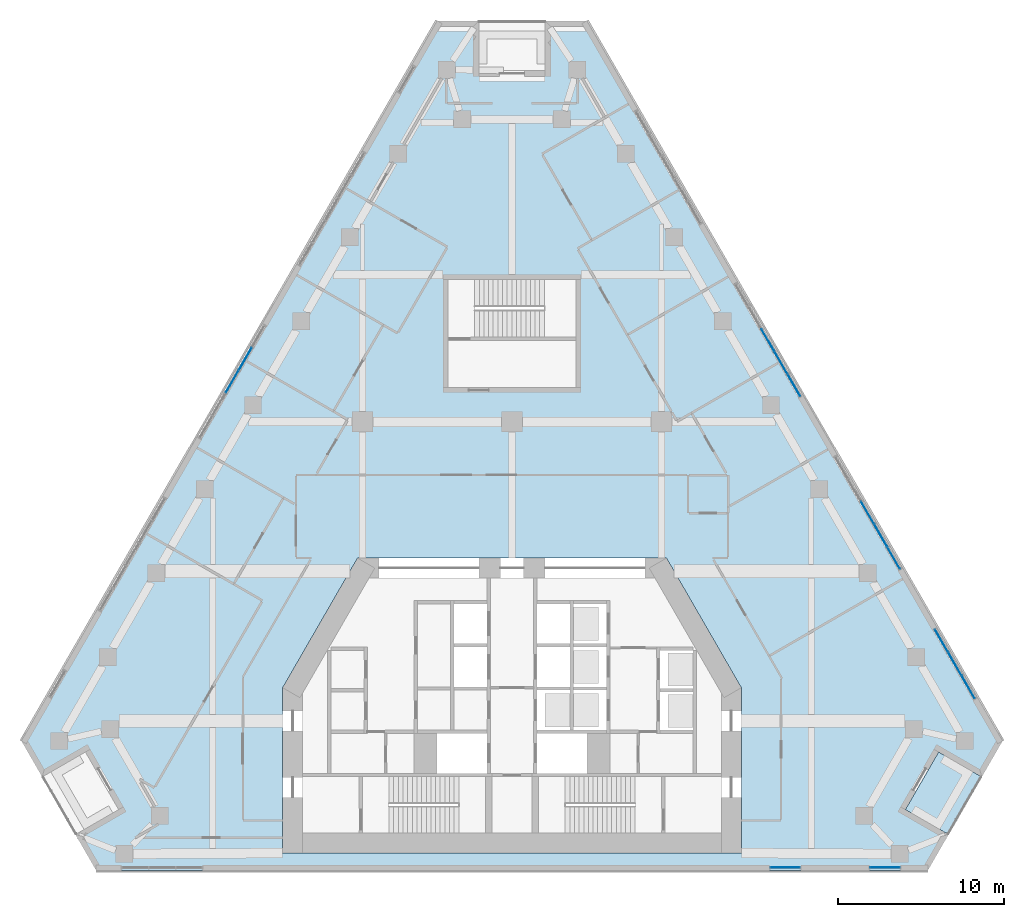
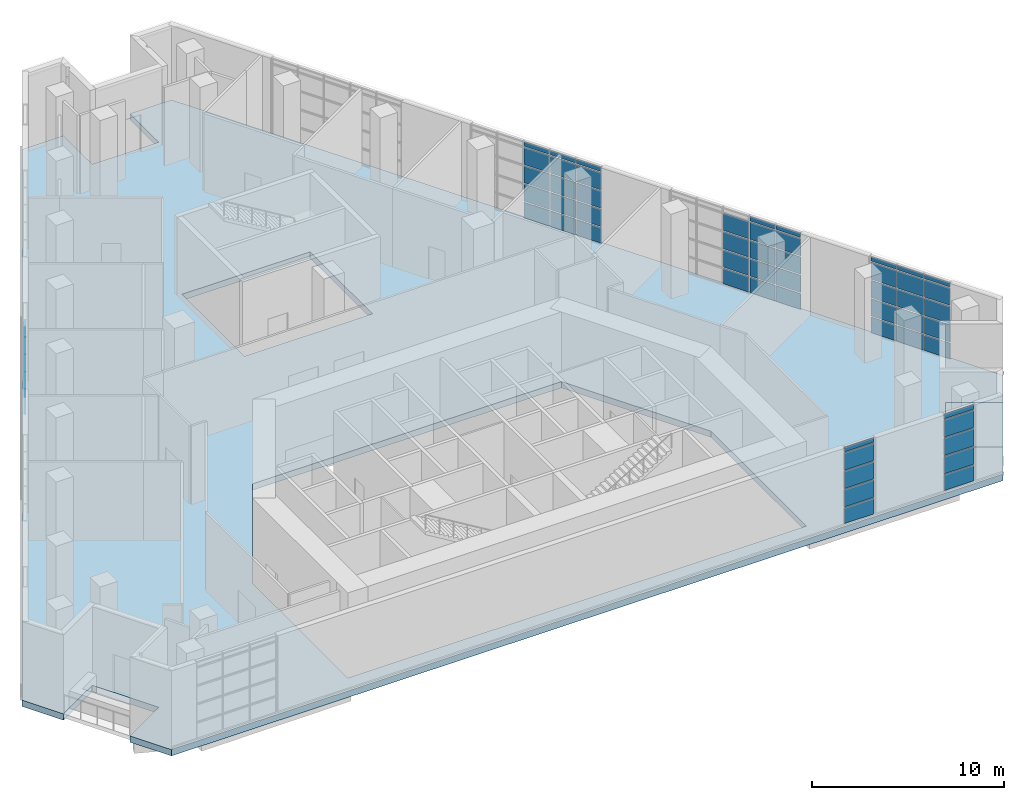
# One storey, part 9 of 18: 62 plates, 2 slabs, 6 elements without a shape of their own.
"""IFC4 building model written with IfcOpenShell, lengths in metres."""

import ifcopenshell
import ifcopenshell.guid

model = None  # the IFC model being written
_history = None  # IfcOwnerHistory: only IFC2X3 demands one
_inside = {}  # id of a spatial element -> (the spatial element, [elements in it])
_under = {}  # id of a project, library or spatial element -> (it, [spatial elements below it])
_declared = {}  # id of a project -> (the project, [libraries it declares])
_typed = {}  # id of a type object -> (the type object, [elements of that type])
_made_of = {}  # id of a material, layer set ... -> (it, [elements and type objects made of it])


def new_model(schema):
    """Start an empty IFC model of exactly this schema.

    Asked for "IFC4X3", IfcOpenShell would pick the latest addendum, in which some entities
    have other attributes; the version numbers below select the first issue.
    IFC2X3 requires an IfcOwnerHistory on every rooted entity: one is made here for all.
    """
    global model, _history
    if schema == "IFC4X3":
        model = ifcopenshell.file(schema_version=(4, 3, 0, 0))
    else:
        model = ifcopenshell.file(schema=schema)
    _inside.clear()
    _under.clear()
    _declared.clear()
    _typed.clear()
    _made_of.clear()
    _history = None
    if model.schema == "IFC2X3":
        org = make("IfcOrganization", Name="unknown")
        user = make(
            "IfcPersonAndOrganization",
            ThePerson=make("IfcPerson", FamilyName="unknown"),
            TheOrganization=org,
        )
        app = make(
            "IfcApplication",
            ApplicationDeveloper=org,
            Version="unknown",
            ApplicationFullName="unknown",
            ApplicationIdentifier="unknown",
        )
        _history = make(
            "IfcOwnerHistory",
            OwningUser=user,
            OwningApplication=app,
            ChangeAction="ADDED",
            CreationDate=0,
        )
    return model


def make(cls, **values):
    """One entity of the class cls with the attributes given. An attribute that is None is left unset."""
    return model.create_entity(
        cls, **{name: value for name, value in values.items() if value is not None}
    )


def rooted(cls, **values):
    """An entity with a GlobalId (a new one), such as an element, a storey or a relation."""
    return make(cls, GlobalId=ifcopenshell.guid.new(), OwnerHistory=_history, **values)


def si_unit(unit_type, name, prefix=None):
    """IfcSIUnit, for example si_unit("LENGTHUNIT", "METRE", prefix="MILLI")."""
    return make("IfcSIUnit", UnitType=unit_type, Prefix=prefix, Name=name)


def assignment(units):
    """IfcUnitAssignment: the units of a project."""
    return None if units is None else make("IfcUnitAssignment", Units=units)


def point(xyz):
    """IfcCartesianPoint."""
    return None if xyz is None else make("IfcCartesianPoint", Coordinates=xyz)


def direction(xyz):
    """IfcDirection."""
    return None if xyz is None else make("IfcDirection", DirectionRatios=xyz)


def frame(location, z_axis=None, x_axis=None):
    """IfcAxis2Placement3D, a coordinate frame: its origin and axes. An axis left out is left unset."""
    return make(
        "IfcAxis2Placement3D",
        Location=point(location),
        Axis=direction(z_axis),
        RefDirection=direction(x_axis),
    )


def frame_2d(location, x_axis=None):
    """IfcAxis2Placement2D, a coordinate frame in the plane: its origin and x axis."""
    return make(
        "IfcAxis2Placement2D", Location=point(location), RefDirection=direction(x_axis)
    )


def origin():
    """The frame at (0, 0, 0) with its axes left unset."""
    return frame((0.0, 0.0, 0.0))


def origin_2d():
    """The frame at (0, 0) in the plane with its x axis left unset."""
    return frame_2d((0.0, 0.0))


def place(relative_to, where):
    """IfcLocalPlacement: puts the frame where relative to a parent placement (None: the world)."""
    return make(
        "IfcLocalPlacement", PlacementRelTo=relative_to, RelativePlacement=where
    )


def context(
    kind, dimensions, precision=None, world=None, true_north=None, identifier=None
):
    """IfcGeometricRepresentationContext, for example the 3D "Model" context."""
    return make(
        "IfcGeometricRepresentationContext",
        ContextIdentifier=identifier,
        ContextType=kind,
        CoordinateSpaceDimension=dimensions,
        Precision=precision,
        WorldCoordinateSystem=world,
        TrueNorth=true_north,
    )


def subcontext(parent, identifier, kind, view, scale=None):
    """IfcGeometricRepresentationSubContext, for example "Body" below "Model"."""
    return make(
        "IfcGeometricRepresentationSubContext",
        ContextIdentifier=identifier,
        ContextType=kind,
        ParentContext=parent,
        TargetScale=scale,
        TargetView=view,
    )


def project(units=None, contexts=None):
    """IfcProject with its units and contexts."""
    return rooted(
        "IfcProject",
        Name="project",
        RepresentationContexts=contexts,
        UnitsInContext=assignment(units),
    )


def spatial(cls, under=None, at=None, **own):
    """A site, building, storey or space (cls), placed at a placement, below another one or the project."""
    s = rooted(cls, ObjectPlacement=at, **own)
    if under is not None:
        _under.setdefault(under.id(), (under, []))[1].append(s)
    return s


def polyline(points):
    """IfcPolyline through the points."""
    return make("IfcPolyline", Points=[point(p) for p in points])


def profile(cls, at=None, kind="AREA", **sizes):
    """A parametric profile (cls). Its sizes go by their IFC names, for example OverallWidth=200.0."""
    return make(cls, ProfileType=kind, Position=at, **sizes)


def rectangle(**sizes):
    """IfcRectangleProfileDef."""
    return profile("IfcRectangleProfileDef", **sizes)


def outline(outer, holes=None, kind="AREA"):
    """IfcArbitraryClosedProfileDef: a profile drawn as a closed curve; with holes, ...WithVoids."""
    if holes is None:
        return make("IfcArbitraryClosedProfileDef", ProfileType=kind, OuterCurve=outer)
    return make(
        "IfcArbitraryProfileDefWithVoids",
        ProfileType=kind,
        OuterCurve=outer,
        InnerCurves=holes,
    )


def extrude(swept, where, along, depth):
    """IfcExtrudedAreaSolid: the profile swept, set in the frame where, extruded along a direction by depth."""
    return make(
        "IfcExtrudedAreaSolid",
        SweptArea=swept,
        Position=where,
        ExtrudedDirection=direction(along),
        Depth=depth,
    )


def shape(context_of_items, identifier, shape_type, items):
    """IfcShapeRepresentation: the items that make up one representation, for example the "Body"."""
    return make(
        "IfcShapeRepresentation",
        ContextOfItems=context_of_items,
        RepresentationIdentifier=identifier,
        RepresentationType=shape_type,
        Items=items,
    )


def material(Name=None, Category=None):
    """IfcMaterial."""
    return make("IfcMaterial", Name=Name, Category=Category)


def layer(
    of_material, thickness, ventilated=None, Name=None, Category=None, Priority=None
):
    """IfcMaterialLayer: one layer of a wall or slab, of a material (None: an air gap)."""
    return make(
        "IfcMaterialLayer",
        Material=of_material,
        LayerThickness=thickness,
        IsVentilated=ventilated,
        Name=Name,
        Category=Category,
        Priority=Priority,
    )


def layer_set(layers, Name=None):
    """IfcMaterialLayerSet."""
    return make("IfcMaterialLayerSet", MaterialLayers=layers, LayerSetName=Name)


def made_of(thing, what):
    """Note that an element or type object is made of a material, layer set ...; save() writes the relation."""
    if what is not None:
        _made_of.setdefault(what.id(), (what, []))[1].append(thing)
    return thing


def type_object(cls, material=None, **own):
    """A type object (cls), such as IfcWallType, which elements share."""
    return made_of(rooted(cls, **own), material)


def element(
    cls,
    number,
    at=None,
    inside=None,
    cuts=None,
    type_object=None,
    material=None,
    context=None,
    identifier="Body",
    shape_type=None,
    held_by="IfcProductDefinitionShape",
    body=None,
    shapes=None,
    **own,
):
    """One element of the class cls, such as IfcWall. Its Tag is "e" and its number.

    at: its placement. inside: the storey or other place that contains it. cuts: it is an
    opening in that element (IfcRelVoidsElement). A single representation is given by context,
    identifier, shape_type and body (its items); several are given by shapes. held_by: the class
    of the entity that holds the representations. save() writes the other relations.
    """
    e = rooted(cls, Tag="e%d" % number, ObjectPlacement=at, **own)
    if body is not None:
        shapes = [shape(context, identifier, shape_type, body)]
    if shapes is not None:
        e.Representation = make(held_by, Representations=shapes)
    if inside is not None:
        _inside.setdefault(inside.id(), (inside, []))[1].append(e)
    if cuts is not None:
        rooted(
            "IfcRelVoidsElement", RelatingBuildingElement=cuts, RelatedOpeningElement=e
        )
    if type_object is not None:
        _typed.setdefault(type_object.id(), (type_object, []))[1].append(e)
    return made_of(e, material)


def aggregate(whole, parts):
    """IfcRelAggregates: a whole, such as a stair, and the parts it consists of."""
    return rooted("IfcRelAggregates", RelatingObject=whole, RelatedObjects=parts)


def save(model, path):
    """Write the relations noted so far, then the file.

    IfcRelAggregates (storeys below a building ...), IfcRelContainedInSpatialStructure (elements
    in a storey), IfcRelDefinesByType, IfcRelAssociatesMaterial and IfcRelDeclares: one each for
    every whole, place, type object, material and project.
    """
    for whole, parts in _under.values():
        aggregate(whole, parts)
    for where, things in _inside.values():
        rooted(
            "IfcRelContainedInSpatialStructure",
            RelatedElements=things,
            RelatingStructure=where,
        )
    for kind, things in _typed.values():
        rooted("IfcRelDefinesByType", RelatedObjects=things, RelatingType=kind)
    for what, things in _made_of.values():
        rooted("IfcRelAssociatesMaterial", RelatedObjects=things, RelatingMaterial=what)
    for by, libraries in _declared.values():
        rooted("IfcRelDeclares", RelatingContext=by, RelatedDefinitions=libraries)
    model.write(path)


model = new_model("IFC4")

# Units and contexts
model_context = context("Model", 3, precision=1e-05, world=origin(), true_north=direction((0.0, 1.0)))
body_context = subcontext(model_context, "Body", "Model", "MODEL_VIEW")
ifc_project = project(units=[si_unit("LENGTHUNIT", "METRE"), si_unit("AREAUNIT", "SQUARE_METRE"), si_unit("VOLUMEUNIT", "CUBIC_METRE"), si_unit("PLANEANGLEUNIT", "RADIAN"), si_unit("MASSUNIT", "GRAM", prefix="KILO")], contexts=[model_context])

# Site, building, storey
site_placement = place(None, origin())
site = spatial("IfcSite", under=ifc_project, at=site_placement, CompositionType="ELEMENT")
building_placement = place(site_placement, origin())
building = spatial("IfcBuilding", under=site, at=building_placement, Name="Fogline Exchange Tower", CompositionType="ELEMENT")
storey_placement = place(building_placement, frame((0.0, 0.0, 137.5)))
storey = spatial("IfcBuildingStorey", under=building, at=storey_placement, Name="L30", CompositionType="ELEMENT", Elevation=137.5)

# Curtain wall, plates
ifc_material_1 = material(Name="Aluminium and glass", Category="aluminium")
curtain_wall_type = type_object("IfcCurtainWallType", Name="CW4", PredefinedType="NOTDEFINED", material=ifc_material_1)
curtain_wall_1_placement = place(storey_placement, origin())
curtain_wall_1 = element("IfcCurtainWall", 1, at=curtain_wall_1_placement, inside=storey, type_object=curtain_wall_type, Name="CW4 L30 S run 2", PredefinedType="NOTDEFINED")
ifc_material_2 = material(Name="Glass", Category="glass")
ifc_layer_1 = layer(ifc_material_2, 0.030029296875)
ifc_layer_set_1 = layer_set([ifc_layer_1], Name="CW4-P")
plate_type = type_object("IfcPlateType", Name="CW4-P", PredefinedType="CURTAIN_PANEL", material=ifc_layer_set_1)
plate_1_placement = place(storey_placement, frame((16.4423828125, 0.169921875, 0.0751953125), z_axis=(0.0, 0.0, 1.0), x_axis=(1.0, 0.0, 0.0)))
plate_1 = element("IfcPlate", 2, at=plate_1_placement, type_object=plate_type, Name="CW4-T09-02 panel 1.1", PredefinedType="CURTAIN_PANEL", context=body_context, shape_type="SweptSolid", body=[
    extrude(rectangle(XDim=1.764892578125, YDim=0.030029296875, at=origin_2d()), origin(), (0.0, 0.0, 1.0), 0.987548828125),
])
plate_2_placement = place(storey_placement, frame((16.4423828125, 0.169921875, 1.137451171875), z_axis=(0.0, 0.0, 1.0), x_axis=(1.0, 0.0, 0.0)))
plate_2 = element("IfcPlate", 3, at=plate_2_placement, type_object=plate_type, Name="CW4-T09-02 panel 1.2", PredefinedType="CURTAIN_PANEL", context=body_context, shape_type="SweptSolid", body=[
    extrude(rectangle(XDim=1.764892578125, YDim=0.030029296875, at=origin_2d()), origin(), (0.0, 0.0, 1.0), 1.091796875),
])
plate_3_placement = place(storey_placement, frame((16.4423828125, 0.169921875, 2.30419921875), z_axis=(0.0, 0.0, 1.0), x_axis=(1.0, 0.0, 0.0)))
plate_3 = element("IfcPlate", 4, at=plate_3_placement, type_object=plate_type, Name="CW4-T09-02 panel 1.3", PredefinedType="CURTAIN_PANEL", context=body_context, shape_type="SweptSolid", body=[
    extrude(rectangle(XDim=1.764892578125, YDim=0.030029296875, at=origin_2d()), origin(), (0.0, 0.0, 1.0), 1.091552734375),
])
plate_4_placement = place(storey_placement, frame((16.4423828125, 0.169921875, 3.470703125), z_axis=(0.0, 0.0, 1.0), x_axis=(1.0, 0.0, 0.0)))
plate_4 = element("IfcPlate", 5, at=plate_4_placement, type_object=plate_type, Name="CW4-T09-02 panel 1.4", PredefinedType="CURTAIN_PANEL", context=body_context, shape_type="SweptSolid", body=[
    extrude(rectangle(XDim=1.764892578125, YDim=0.030029296875, at=origin_2d()), origin(), (0.0, 0.0, 1.0), 1.091796875),
])
plate_5_placement = place(storey_placement, frame((16.4423828125, 0.169921875, 4.637451171875), z_axis=(0.0, 0.0, 1.0), x_axis=(1.0, 0.0, 0.0)))
plate_5 = element("IfcPlate", 6, at=plate_5_placement, type_object=plate_type, Name="CW4-T09-02 panel 1.5", PredefinedType="CURTAIN_PANEL", context=body_context, shape_type="SweptSolid", body=[
    extrude(rectangle(XDim=1.764892578125, YDim=0.030029296875, at=origin_2d()), origin(), (0.0, 0.0, 1.0), 0.28759765625),
])
aggregate(curtain_wall_1, [plate_1, plate_2, plate_3, plate_4, plate_5])

curtain_wall_2_placement = place(storey_placement, origin())
curtain_wall_2 = element("IfcCurtainWall", 7, at=curtain_wall_2_placement, inside=storey, type_object=curtain_wall_type, Name="CW4 L30 S run 3", PredefinedType="NOTDEFINED")
plate_6_placement = place(storey_placement, frame((22.4423828125, 0.169921875, 0.0751953125), z_axis=(0.0, 0.0, 1.0), x_axis=(1.0, 0.0, 0.0)))
plate_6 = element("IfcPlate", 8, at=plate_6_placement, type_object=plate_type, Name="CW4-T09-03 panel 1.1", PredefinedType="CURTAIN_PANEL", context=body_context, shape_type="SweptSolid", body=[
    extrude(rectangle(XDim=1.764892578125, YDim=0.030029296875, at=origin_2d()), origin(), (0.0, 0.0, 1.0), 0.987548828125),
])
plate_7_placement = place(storey_placement, frame((22.4423828125, 0.169921875, 1.137451171875), z_axis=(0.0, 0.0, 1.0), x_axis=(1.0, 0.0, 0.0)))
plate_7 = element("IfcPlate", 9, at=plate_7_placement, type_object=plate_type, Name="CW4-T09-03 panel 1.2", PredefinedType="CURTAIN_PANEL", context=body_context, shape_type="SweptSolid", body=[
    extrude(rectangle(XDim=1.764892578125, YDim=0.030029296875, at=origin_2d()), origin(), (0.0, 0.0, 1.0), 1.091796875),
])
plate_8_placement = place(storey_placement, frame((22.4423828125, 0.169921875, 2.30419921875), z_axis=(0.0, 0.0, 1.0), x_axis=(1.0, 0.0, 0.0)))
plate_8 = element("IfcPlate", 10, at=plate_8_placement, type_object=plate_type, Name="CW4-T09-03 panel 1.3", PredefinedType="CURTAIN_PANEL", context=body_context, shape_type="SweptSolid", body=[
    extrude(rectangle(XDim=1.764892578125, YDim=0.030029296875, at=origin_2d()), origin(), (0.0, 0.0, 1.0), 1.091552734375),
])
plate_9_placement = place(storey_placement, frame((22.4423828125, 0.169921875, 3.470703125), z_axis=(0.0, 0.0, 1.0), x_axis=(1.0, 0.0, 0.0)))
plate_9 = element("IfcPlate", 11, at=plate_9_placement, type_object=plate_type, Name="CW4-T09-03 panel 1.4", PredefinedType="CURTAIN_PANEL", context=body_context, shape_type="SweptSolid", body=[
    extrude(rectangle(XDim=1.764892578125, YDim=0.030029296875, at=origin_2d()), origin(), (0.0, 0.0, 1.0), 1.091796875),
])
plate_10_placement = place(storey_placement, frame((22.4423828125, 0.169921875, 4.637451171875), z_axis=(0.0, 0.0, 1.0), x_axis=(1.0, 0.0, 0.0)))
plate_10 = element("IfcPlate", 12, at=plate_10_placement, type_object=plate_type, Name="CW4-T09-03 panel 1.5", PredefinedType="CURTAIN_PANEL", context=body_context, shape_type="SweptSolid", body=[
    extrude(rectangle(XDim=1.764892578125, YDim=0.030029296875, at=origin_2d()), origin(), (0.0, 0.0, 1.0), 0.28759765625),
])
aggregate(curtain_wall_2, [plate_6, plate_7, plate_8, plate_9, plate_10])

curtain_wall_3_placement = place(storey_placement, origin())
curtain_wall_3 = element("IfcCurtainWall", 13, at=curtain_wall_3_placement, inside=storey, type_object=curtain_wall_type, Name="CW4 L30 E run 1", PredefinedType="NOTDEFINED")
plate_11_placement = place(storey_placement, frame((27.453857421875, 11.034423828125, 0.0751953125), z_axis=(0.0, 0.0, 1.0), x_axis=(-0.499999476794, 0.866025705857, 0.0)))
plate_11 = element("IfcPlate", 14, at=plate_11_placement, type_object=plate_type, Name="CW4-T09-04 panel 1.1", PredefinedType="CURTAIN_PANEL", context=body_context, shape_type="SweptSolid", body=[
    extrude(rectangle(XDim=1.538330078125, YDim=0.030029296875, at=origin_2d()), origin(), (0.0, 0.0, 1.0), 0.987548828125),
])
plate_12_placement = place(storey_placement, frame((27.453857421875, 11.034423828125, 1.137451171875), z_axis=(0.0, 0.0, 1.0), x_axis=(-0.499999476794, 0.866025705857, 0.0)))
plate_12 = element("IfcPlate", 15, at=plate_12_placement, type_object=plate_type, Name="CW4-T09-04 panel 1.2", PredefinedType="CURTAIN_PANEL", context=body_context, shape_type="SweptSolid", body=[
    extrude(rectangle(XDim=1.538330078125, YDim=0.030029296875, at=origin_2d()), origin(), (0.0, 0.0, 1.0), 1.091796875),
])
plate_13_placement = place(storey_placement, frame((27.453857421875, 11.034423828125, 2.30419921875), z_axis=(0.0, 0.0, 1.0), x_axis=(-0.499999476794, 0.866025705857, 0.0)))
plate_13 = element("IfcPlate", 16, at=plate_13_placement, type_object=plate_type, Name="CW4-T09-04 panel 1.3", PredefinedType="CURTAIN_PANEL", context=body_context, shape_type="SweptSolid", body=[
    extrude(rectangle(XDim=1.538330078125, YDim=0.030029296875, at=origin_2d()), origin(), (0.0, 0.0, 1.0), 1.091552734375),
])
plate_14_placement = place(storey_placement, frame((27.453857421875, 11.034423828125, 3.470703125), z_axis=(0.0, 0.0, 1.0), x_axis=(-0.499999476794, 0.866025705857, 0.0)))
plate_14 = element("IfcPlate", 17, at=plate_14_placement, type_object=plate_type, Name="CW4-T09-04 panel 1.4", PredefinedType="CURTAIN_PANEL", context=body_context, shape_type="SweptSolid", body=[
    extrude(rectangle(XDim=1.538330078125, YDim=0.030029296875, at=origin_2d()), origin(), (0.0, 0.0, 1.0), 1.091796875),
])
plate_15_placement = place(storey_placement, frame((27.453857421875, 11.034423828125, 4.637451171875), z_axis=(0.0, 0.0, 1.0), x_axis=(-0.499999476794, 0.866025705857, 0.0)))
plate_15 = element("IfcPlate", 18, at=plate_15_placement, type_object=plate_type, Name="CW4-T09-04 panel 1.5", PredefinedType="CURTAIN_PANEL", context=body_context, shape_type="SweptSolid", body=[
    extrude(rectangle(XDim=1.538330078125, YDim=0.030029296875, at=origin_2d()), origin(), (0.0, 0.0, 1.0), 0.28759765625),
])
plate_16_placement = place(storey_placement, frame((26.647216796875, 12.431640625, 0.0751953125), z_axis=(0.0, 0.0, 1.0), x_axis=(-0.499999476794, 0.866025705857, 0.0)))
plate_16 = element("IfcPlate", 19, at=plate_16_placement, type_object=plate_type, Name="CW4-T09-04 panel 2.1", PredefinedType="CURTAIN_PANEL", context=body_context, shape_type="SweptSolid", body=[
    extrude(rectangle(XDim=1.568359375, YDim=0.030029296875, at=origin_2d()), origin(), (0.0, 0.0, 1.0), 0.987548828125),
])
plate_17_placement = place(storey_placement, frame((26.647216796875, 12.431640625, 1.137451171875), z_axis=(0.0, 0.0, 1.0), x_axis=(-0.499999476794, 0.866025705857, 0.0)))
plate_17 = element("IfcPlate", 20, at=plate_17_placement, type_object=plate_type, Name="CW4-T09-04 panel 2.2", PredefinedType="CURTAIN_PANEL", context=body_context, shape_type="SweptSolid", body=[
    extrude(rectangle(XDim=1.568359375, YDim=0.030029296875, at=origin_2d()), origin(), (0.0, 0.0, 1.0), 1.091796875),
])
plate_18_placement = place(storey_placement, frame((26.647216796875, 12.431640625, 2.30419921875), z_axis=(0.0, 0.0, 1.0), x_axis=(-0.499999476794, 0.866025705857, 0.0)))
plate_18 = element("IfcPlate", 21, at=plate_18_placement, type_object=plate_type, Name="CW4-T09-04 panel 2.3", PredefinedType="CURTAIN_PANEL", context=body_context, shape_type="SweptSolid", body=[
    extrude(rectangle(XDim=1.568359375, YDim=0.030029296875, at=origin_2d()), origin(), (0.0, 0.0, 1.0), 1.091552734375),
])
plate_19_placement = place(storey_placement, frame((26.647216796875, 12.431640625, 3.470703125), z_axis=(0.0, 0.0, 1.0), x_axis=(-0.499999476794, 0.866025705857, 0.0)))
plate_19 = element("IfcPlate", 22, at=plate_19_placement, type_object=plate_type, Name="CW4-T09-04 panel 2.4", PredefinedType="CURTAIN_PANEL", context=body_context, shape_type="SweptSolid", body=[
    extrude(rectangle(XDim=1.568359375, YDim=0.030029296875, at=origin_2d()), origin(), (0.0, 0.0, 1.0), 1.091796875),
])
plate_20_placement = place(storey_placement, frame((26.647216796875, 12.431640625, 4.637451171875), z_axis=(0.0, 0.0, 1.0), x_axis=(-0.499999476794, 0.866025705857, 0.0)))
plate_20 = element("IfcPlate", 23, at=plate_20_placement, type_object=plate_type, Name="CW4-T09-04 panel 2.5", PredefinedType="CURTAIN_PANEL", context=body_context, shape_type="SweptSolid", body=[
    extrude(rectangle(XDim=1.568359375, YDim=0.030029296875, at=origin_2d()), origin(), (0.0, 0.0, 1.0), 0.28759765625),
])
plate_21_placement = place(storey_placement, frame((25.840576171875, 13.828857421875, 0.0751953125), z_axis=(0.0, 0.0, 1.0), x_axis=(-0.499999476794, 0.866025705857, 0.0)))
plate_21 = element("IfcPlate", 24, at=plate_21_placement, type_object=plate_type, Name="CW4-T09-04 panel 3.1", PredefinedType="CURTAIN_PANEL", context=body_context, shape_type="SweptSolid", body=[
    extrude(rectangle(XDim=1.538330078125, YDim=0.030029296875, at=origin_2d()), origin(), (0.0, 0.0, 1.0), 0.987548828125),
])
plate_22_placement = place(storey_placement, frame((25.840576171875, 13.828857421875, 1.137451171875), z_axis=(0.0, 0.0, 1.0), x_axis=(-0.499999476794, 0.866025705857, 0.0)))
plate_22 = element("IfcPlate", 25, at=plate_22_placement, type_object=plate_type, Name="CW4-T09-04 panel 3.2", PredefinedType="CURTAIN_PANEL", context=body_context, shape_type="SweptSolid", body=[
    extrude(rectangle(XDim=1.538330078125, YDim=0.030029296875, at=origin_2d()), origin(), (0.0, 0.0, 1.0), 1.091796875),
])
plate_23_placement = place(storey_placement, frame((25.840576171875, 13.828857421875, 2.30419921875), z_axis=(0.0, 0.0, 1.0), x_axis=(-0.499999476794, 0.866025705857, 0.0)))
plate_23 = element("IfcPlate", 26, at=plate_23_placement, type_object=plate_type, Name="CW4-T09-04 panel 3.3", PredefinedType="CURTAIN_PANEL", context=body_context, shape_type="SweptSolid", body=[
    extrude(rectangle(XDim=1.538330078125, YDim=0.030029296875, at=origin_2d()), origin(), (0.0, 0.0, 1.0), 1.091552734375),
])
plate_24_placement = place(storey_placement, frame((25.840576171875, 13.828857421875, 3.470703125), z_axis=(0.0, 0.0, 1.0), x_axis=(-0.499999476794, 0.866025705857, 0.0)))
plate_24 = element("IfcPlate", 27, at=plate_24_placement, type_object=plate_type, Name="CW4-T09-04 panel 3.4", PredefinedType="CURTAIN_PANEL", context=body_context, shape_type="SweptSolid", body=[
    extrude(rectangle(XDim=1.538330078125, YDim=0.030029296875, at=origin_2d()), origin(), (0.0, 0.0, 1.0), 1.091796875),
])
plate_25_placement = place(storey_placement, frame((25.840576171875, 13.828857421875, 4.637451171875), z_axis=(0.0, 0.0, 1.0), x_axis=(-0.499999476794, 0.866025705857, 0.0)))
plate_25 = element("IfcPlate", 28, at=plate_25_placement, type_object=plate_type, Name="CW4-T09-04 panel 3.5", PredefinedType="CURTAIN_PANEL", context=body_context, shape_type="SweptSolid", body=[
    extrude(rectangle(XDim=1.538330078125, YDim=0.030029296875, at=origin_2d()), origin(), (0.0, 0.0, 1.0), 0.28759765625),
])
aggregate(curtain_wall_3, [plate_11, plate_12, plate_13, plate_14, plate_15, plate_16, plate_17, plate_18, plate_19, plate_20, plate_21, plate_22, plate_23, plate_24, plate_25])

curtain_wall_4_placement = place(storey_placement, origin())
curtain_wall_4 = element("IfcCurtainWall", 29, at=curtain_wall_4_placement, inside=storey, type_object=curtain_wall_type, Name="CW4 L30 E run 2", PredefinedType="NOTDEFINED")
plate_26_placement = place(storey_placement, frame((22.966796875, 18.806396484375, 0.0751953125), z_axis=(0.0, 0.0, 1.0), x_axis=(-0.500000016959, 0.866025393993, 0.0)))
plate_26 = element("IfcPlate", 30, at=plate_26_placement, type_object=plate_type, Name="CW4-T09-05 panel 1.1", PredefinedType="CURTAIN_PANEL", context=body_context, shape_type="SweptSolid", body=[
    extrude(rectangle(XDim=1.487060546875, YDim=0.030029296875, at=origin_2d()), origin(), (0.0, 0.0, 1.0), 0.987548828125),
])
plate_27_placement = place(storey_placement, frame((22.966796875, 18.806396484375, 1.137451171875), z_axis=(0.0, 0.0, 1.0), x_axis=(-0.500000016959, 0.866025393993, 0.0)))
plate_27 = element("IfcPlate", 31, at=plate_27_placement, type_object=plate_type, Name="CW4-T09-05 panel 1.2", PredefinedType="CURTAIN_PANEL", context=body_context, shape_type="SweptSolid", body=[
    extrude(rectangle(XDim=1.487060546875, YDim=0.030029296875, at=origin_2d()), origin(), (0.0, 0.0, 1.0), 1.091796875),
])
plate_28_placement = place(storey_placement, frame((22.966796875, 18.806396484375, 2.30419921875), z_axis=(0.0, 0.0, 1.0), x_axis=(-0.500000016959, 0.866025393993, 0.0)))
plate_28 = element("IfcPlate", 32, at=plate_28_placement, type_object=plate_type, Name="CW4-T09-05 panel 1.3", PredefinedType="CURTAIN_PANEL", context=body_context, shape_type="SweptSolid", body=[
    extrude(rectangle(XDim=1.487060546875, YDim=0.030029296875, at=origin_2d()), origin(), (0.0, 0.0, 1.0), 1.091552734375),
])
plate_29_placement = place(storey_placement, frame((22.966796875, 18.806396484375, 3.470703125), z_axis=(0.0, 0.0, 1.0), x_axis=(-0.500000016959, 0.866025393993, 0.0)))
plate_29 = element("IfcPlate", 33, at=plate_29_placement, type_object=plate_type, Name="CW4-T09-05 panel 1.4", PredefinedType="CURTAIN_PANEL", context=body_context, shape_type="SweptSolid", body=[
    extrude(rectangle(XDim=1.487060546875, YDim=0.030029296875, at=origin_2d()), origin(), (0.0, 0.0, 1.0), 1.091796875),
])
plate_30_placement = place(storey_placement, frame((22.966796875, 18.806396484375, 4.637451171875), z_axis=(0.0, 0.0, 1.0), x_axis=(-0.500000016959, 0.866025393993, 0.0)))
plate_30 = element("IfcPlate", 34, at=plate_30_placement, type_object=plate_type, Name="CW4-T09-05 panel 1.5", PredefinedType="CURTAIN_PANEL", context=body_context, shape_type="SweptSolid", body=[
    extrude(rectangle(XDim=1.487060546875, YDim=0.030029296875, at=origin_2d()), origin(), (0.0, 0.0, 1.0), 0.28759765625),
])
plate_31_placement = place(storey_placement, frame((22.185791015625, 20.1591796875, 0.0751953125), z_axis=(0.0, 0.0, 1.0), x_axis=(-0.500000016959, 0.866025393993, 0.0)))
plate_31 = element("IfcPlate", 35, at=plate_31_placement, type_object=plate_type, Name="CW4-T09-05 panel 2.1", PredefinedType="CURTAIN_PANEL", context=body_context, shape_type="SweptSolid", body=[
    extrude(rectangle(XDim=1.51708984375, YDim=0.030029296875, at=origin_2d()), origin(), (0.0, 0.0, 1.0), 0.987548828125),
])
plate_32_placement = place(storey_placement, frame((22.185791015625, 20.1591796875, 1.137451171875), z_axis=(0.0, 0.0, 1.0), x_axis=(-0.500000016959, 0.866025393993, 0.0)))
plate_32 = element("IfcPlate", 36, at=plate_32_placement, type_object=plate_type, Name="CW4-T09-05 panel 2.2", PredefinedType="CURTAIN_PANEL", context=body_context, shape_type="SweptSolid", body=[
    extrude(rectangle(XDim=1.51708984375, YDim=0.030029296875, at=origin_2d()), origin(), (0.0, 0.0, 1.0), 1.091796875),
])
plate_33_placement = place(storey_placement, frame((22.185791015625, 20.1591796875, 2.30419921875), z_axis=(0.0, 0.0, 1.0), x_axis=(-0.500000016959, 0.866025393993, 0.0)))
plate_33 = element("IfcPlate", 37, at=plate_33_placement, type_object=plate_type, Name="CW4-T09-05 panel 2.3", PredefinedType="CURTAIN_PANEL", context=body_context, shape_type="SweptSolid", body=[
    extrude(rectangle(XDim=1.51708984375, YDim=0.030029296875, at=origin_2d()), origin(), (0.0, 0.0, 1.0), 1.091552734375),
])
plate_34_placement = place(storey_placement, frame((22.185791015625, 20.1591796875, 3.470703125), z_axis=(0.0, 0.0, 1.0), x_axis=(-0.500000016959, 0.866025393993, 0.0)))
plate_34 = element("IfcPlate", 38, at=plate_34_placement, type_object=plate_type, Name="CW4-T09-05 panel 2.4", PredefinedType="CURTAIN_PANEL", context=body_context, shape_type="SweptSolid", body=[
    extrude(rectangle(XDim=1.51708984375, YDim=0.030029296875, at=origin_2d()), origin(), (0.0, 0.0, 1.0), 1.091796875),
])
plate_35_placement = place(storey_placement, frame((22.185791015625, 20.1591796875, 4.637451171875), z_axis=(0.0, 0.0, 1.0), x_axis=(-0.500000016959, 0.866025393993, 0.0)))
plate_35 = element("IfcPlate", 39, at=plate_35_placement, type_object=plate_type, Name="CW4-T09-05 panel 2.5", PredefinedType="CURTAIN_PANEL", context=body_context, shape_type="SweptSolid", body=[
    extrude(rectangle(XDim=1.51708984375, YDim=0.030029296875, at=origin_2d()), origin(), (0.0, 0.0, 1.0), 0.28759765625),
])
plate_36_placement = place(storey_placement, frame((21.397216796875, 21.52490234375, 0.0751953125), z_axis=(0.0, 0.0, 1.0), x_axis=(-0.500000016959, 0.866025393993, 0.0)))
plate_36 = element("IfcPlate", 40, at=plate_36_placement, type_object=plate_type, Name="CW4-T09-05 panel 3.1", PredefinedType="CURTAIN_PANEL", context=body_context, shape_type="SweptSolid", body=[
    extrude(rectangle(XDim=1.51708984375, YDim=0.030029296875, at=origin_2d()), origin(), (0.0, 0.0, 1.0), 0.987548828125),
])
plate_37_placement = place(storey_placement, frame((21.397216796875, 21.52490234375, 1.137451171875), z_axis=(0.0, 0.0, 1.0), x_axis=(-0.500000016959, 0.866025393993, 0.0)))
plate_37 = element("IfcPlate", 41, at=plate_37_placement, type_object=plate_type, Name="CW4-T09-05 panel 3.2", PredefinedType="CURTAIN_PANEL", context=body_context, shape_type="SweptSolid", body=[
    extrude(rectangle(XDim=1.51708984375, YDim=0.030029296875, at=origin_2d()), origin(), (0.0, 0.0, 1.0), 1.091796875),
])
plate_38_placement = place(storey_placement, frame((21.397216796875, 21.52490234375, 2.30419921875), z_axis=(0.0, 0.0, 1.0), x_axis=(-0.500000016959, 0.866025393993, 0.0)))
plate_38 = element("IfcPlate", 42, at=plate_38_placement, type_object=plate_type, Name="CW4-T09-05 panel 3.3", PredefinedType="CURTAIN_PANEL", context=body_context, shape_type="SweptSolid", body=[
    extrude(rectangle(XDim=1.51708984375, YDim=0.030029296875, at=origin_2d()), origin(), (0.0, 0.0, 1.0), 1.091552734375),
])
plate_39_placement = place(storey_placement, frame((21.397216796875, 21.52490234375, 3.470703125), z_axis=(0.0, 0.0, 1.0), x_axis=(-0.500000016959, 0.866025393993, 0.0)))
plate_39 = element("IfcPlate", 43, at=plate_39_placement, type_object=plate_type, Name="CW4-T09-05 panel 3.4", PredefinedType="CURTAIN_PANEL", context=body_context, shape_type="SweptSolid", body=[
    extrude(rectangle(XDim=1.51708984375, YDim=0.030029296875, at=origin_2d()), origin(), (0.0, 0.0, 1.0), 1.091796875),
])
aggregate(curtain_wall_4, [plate_26, plate_27, plate_28, plate_29, plate_30, plate_31, plate_32, plate_33, plate_34, plate_35, plate_36, plate_37, plate_38, plate_39])

curtain_wall_5_placement = place(storey_placement, origin())
curtain_wall_5 = element("IfcCurtainWall", 44, at=curtain_wall_5_placement, inside=storey, type_object=curtain_wall_type, Name="CW4 L30 E run 3", PredefinedType="NOTDEFINED")
plate_40_placement = place(storey_placement, frame((16.966796875, 29.19873046875, 0.0751953125), z_axis=(0.0, 0.0, 1.0), x_axis=(-0.500000016959, 0.866025393993, 0.0)))
plate_40 = element("IfcPlate", 45, at=plate_40_placement, type_object=plate_type, Name="CW4-T09-06 panel 1.1", PredefinedType="CURTAIN_PANEL", context=body_context, shape_type="SweptSolid", body=[
    extrude(rectangle(XDim=1.487060546875, YDim=0.030029296875, at=origin_2d()), origin(), (0.0, 0.0, 1.0), 0.987548828125),
])
plate_41_placement = place(storey_placement, frame((16.966796875, 29.19873046875, 1.137451171875), z_axis=(0.0, 0.0, 1.0), x_axis=(-0.500000016959, 0.866025393993, 0.0)))
plate_41 = element("IfcPlate", 46, at=plate_41_placement, type_object=plate_type, Name="CW4-T09-06 panel 1.2", PredefinedType="CURTAIN_PANEL", context=body_context, shape_type="SweptSolid", body=[
    extrude(rectangle(XDim=1.487060546875, YDim=0.030029296875, at=origin_2d()), origin(), (0.0, 0.0, 1.0), 1.091796875),
])
plate_42_placement = place(storey_placement, frame((16.966796875, 29.19873046875, 2.30419921875), z_axis=(0.0, 0.0, 1.0), x_axis=(-0.500000016959, 0.866025393993, 0.0)))
plate_42 = element("IfcPlate", 47, at=plate_42_placement, type_object=plate_type, Name="CW4-T09-06 panel 1.3", PredefinedType="CURTAIN_PANEL", context=body_context, shape_type="SweptSolid", body=[
    extrude(rectangle(XDim=1.487060546875, YDim=0.030029296875, at=origin_2d()), origin(), (0.0, 0.0, 1.0), 1.091552734375),
])
plate_43_placement = place(storey_placement, frame((16.966796875, 29.19873046875, 3.470703125), z_axis=(0.0, 0.0, 1.0), x_axis=(-0.500000016959, 0.866025393993, 0.0)))
plate_43 = element("IfcPlate", 48, at=plate_43_placement, type_object=plate_type, Name="CW4-T09-06 panel 1.4", PredefinedType="CURTAIN_PANEL", context=body_context, shape_type="SweptSolid", body=[
    extrude(rectangle(XDim=1.487060546875, YDim=0.030029296875, at=origin_2d()), origin(), (0.0, 0.0, 1.0), 1.091796875),
])
plate_44_placement = place(storey_placement, frame((16.966796875, 29.19873046875, 4.637451171875), z_axis=(0.0, 0.0, 1.0), x_axis=(-0.500000016959, 0.866025393993, 0.0)))
plate_44 = element("IfcPlate", 49, at=plate_44_placement, type_object=plate_type, Name="CW4-T09-06 panel 1.5", PredefinedType="CURTAIN_PANEL", context=body_context, shape_type="SweptSolid", body=[
    extrude(rectangle(XDim=1.487060546875, YDim=0.030029296875, at=origin_2d()), origin(), (0.0, 0.0, 1.0), 0.28759765625),
])
plate_45_placement = place(storey_placement, frame((16.185791015625, 30.551513671875, 0.0751953125), z_axis=(0.0, 0.0, 1.0), x_axis=(-0.500000016959, 0.866025393993, 0.0)))
plate_45 = element("IfcPlate", 50, at=plate_45_placement, type_object=plate_type, Name="CW4-T09-06 panel 2.1", PredefinedType="CURTAIN_PANEL", context=body_context, shape_type="SweptSolid", body=[
    extrude(rectangle(XDim=1.51708984375, YDim=0.030029296875, at=origin_2d()), origin(), (0.0, 0.0, 1.0), 0.987548828125),
])
plate_46_placement = place(storey_placement, frame((16.185791015625, 30.551513671875, 1.137451171875), z_axis=(0.0, 0.0, 1.0), x_axis=(-0.500000016959, 0.866025393993, 0.0)))
plate_46 = element("IfcPlate", 51, at=plate_46_placement, type_object=plate_type, Name="CW4-T09-06 panel 2.2", PredefinedType="CURTAIN_PANEL", context=body_context, shape_type="SweptSolid", body=[
    extrude(rectangle(XDim=1.51708984375, YDim=0.030029296875, at=origin_2d()), origin(), (0.0, 0.0, 1.0), 1.091796875),
])
plate_47_placement = place(storey_placement, frame((16.185791015625, 30.551513671875, 2.30419921875), z_axis=(0.0, 0.0, 1.0), x_axis=(-0.500000016959, 0.866025393993, 0.0)))
plate_47 = element("IfcPlate", 52, at=plate_47_placement, type_object=plate_type, Name="CW4-T09-06 panel 2.3", PredefinedType="CURTAIN_PANEL", context=body_context, shape_type="SweptSolid", body=[
    extrude(rectangle(XDim=1.51708984375, YDim=0.030029296875, at=origin_2d()), origin(), (0.0, 0.0, 1.0), 1.091552734375),
])
plate_48_placement = place(storey_placement, frame((16.185791015625, 30.551513671875, 3.470703125), z_axis=(0.0, 0.0, 1.0), x_axis=(-0.500000016959, 0.866025393993, 0.0)))
plate_48 = element("IfcPlate", 53, at=plate_48_placement, type_object=plate_type, Name="CW4-T09-06 panel 2.4", PredefinedType="CURTAIN_PANEL", context=body_context, shape_type="SweptSolid", body=[
    extrude(rectangle(XDim=1.51708984375, YDim=0.030029296875, at=origin_2d()), origin(), (0.0, 0.0, 1.0), 1.091796875),
])
plate_49_placement = place(storey_placement, frame((16.185791015625, 30.551513671875, 4.637451171875), z_axis=(0.0, 0.0, 1.0), x_axis=(-0.500000016959, 0.866025393993, 0.0)))
plate_49 = element("IfcPlate", 54, at=plate_49_placement, type_object=plate_type, Name="CW4-T09-06 panel 2.5", PredefinedType="CURTAIN_PANEL", context=body_context, shape_type="SweptSolid", body=[
    extrude(rectangle(XDim=1.51708984375, YDim=0.030029296875, at=origin_2d()), origin(), (0.0, 0.0, 1.0), 0.28759765625),
])
plate_50_placement = place(storey_placement, frame((15.397216796875, 31.917236328125, 0.0751953125), z_axis=(0.0, 0.0, 1.0), x_axis=(-0.500000016959, 0.866025393993, 0.0)))
plate_50 = element("IfcPlate", 55, at=plate_50_placement, type_object=plate_type, Name="CW4-T09-06 panel 3.1", PredefinedType="CURTAIN_PANEL", context=body_context, shape_type="SweptSolid", body=[
    extrude(rectangle(XDim=1.51708984375, YDim=0.030029296875, at=origin_2d()), origin(), (0.0, 0.0, 1.0), 0.987548828125),
])
plate_51_placement = place(storey_placement, frame((15.397216796875, 31.917236328125, 1.137451171875), z_axis=(0.0, 0.0, 1.0), x_axis=(-0.500000016959, 0.866025393993, 0.0)))
plate_51 = element("IfcPlate", 56, at=plate_51_placement, type_object=plate_type, Name="CW4-T09-06 panel 3.2", PredefinedType="CURTAIN_PANEL", context=body_context, shape_type="SweptSolid", body=[
    extrude(rectangle(XDim=1.51708984375, YDim=0.030029296875, at=origin_2d()), origin(), (0.0, 0.0, 1.0), 1.091796875),
])
plate_52_placement = place(storey_placement, frame((15.397216796875, 31.917236328125, 2.30419921875), z_axis=(0.0, 0.0, 1.0), x_axis=(-0.500000016959, 0.866025393993, 0.0)))
plate_52 = element("IfcPlate", 57, at=plate_52_placement, type_object=plate_type, Name="CW4-T09-06 panel 3.3", PredefinedType="CURTAIN_PANEL", context=body_context, shape_type="SweptSolid", body=[
    extrude(rectangle(XDim=1.51708984375, YDim=0.030029296875, at=origin_2d()), origin(), (0.0, 0.0, 1.0), 1.091552734375),
])
plate_53_placement = place(storey_placement, frame((15.397216796875, 31.917236328125, 3.470703125), z_axis=(0.0, 0.0, 1.0), x_axis=(-0.500000016959, 0.866025393993, 0.0)))
plate_53 = element("IfcPlate", 58, at=plate_53_placement, type_object=plate_type, Name="CW4-T09-06 panel 3.4", PredefinedType="CURTAIN_PANEL", context=body_context, shape_type="SweptSolid", body=[
    extrude(rectangle(XDim=1.51708984375, YDim=0.030029296875, at=origin_2d()), origin(), (0.0, 0.0, 1.0), 1.091796875),
])
plate_54_placement = place(storey_placement, frame((15.397216796875, 31.917236328125, 4.637451171875), z_axis=(0.0, 0.0, 1.0), x_axis=(-0.500000016959, 0.866025393993, 0.0)))
plate_54 = element("IfcPlate", 59, at=plate_54_placement, type_object=plate_type, Name="CW4-T09-06 panel 3.5", PredefinedType="CURTAIN_PANEL", context=body_context, shape_type="SweptSolid", body=[
    extrude(rectangle(XDim=1.51708984375, YDim=0.030029296875, at=origin_2d()), origin(), (0.0, 0.0, 1.0), 0.28759765625),
])
aggregate(curtain_wall_5, [plate_40, plate_41, plate_42, plate_43, plate_44, plate_45, plate_46, plate_47, plate_48, plate_49, plate_50, plate_51, plate_52, plate_53, plate_54])

curtain_wall_6_placement = place(storey_placement, origin())
curtain_wall_6 = element("IfcCurtainWall", 60, at=curtain_wall_6_placement, inside=storey, type_object=curtain_wall_type, Name="CW4 L30 W run 3", PredefinedType="NOTDEFINED")
plate_55_placement = place(storey_placement, frame((-16.05126953125, 30.784423828125, 0.0751953125), z_axis=(0.0, 0.0, 1.0), x_axis=(-0.500000016959, -0.866025393993, 0.0)))
plate_55 = element("IfcPlate", 61, at=plate_55_placement, type_object=plate_type, Name="CW4-T09-10 panel 2.1", PredefinedType="CURTAIN_PANEL", context=body_context, shape_type="SweptSolid", body=[
    extrude(rectangle(XDim=1.51708984375, YDim=0.030029296875, at=origin_2d()), origin(), (0.0, 0.0, 1.0), 0.987548828125),
])
plate_56_placement = place(storey_placement, frame((-16.05126953125, 30.784423828125, 1.137451171875), z_axis=(0.0, 0.0, 1.0), x_axis=(-0.500000016959, -0.866025393993, 0.0)))
plate_56 = element("IfcPlate", 62, at=plate_56_placement, type_object=plate_type, Name="CW4-T09-10 panel 2.2", PredefinedType="CURTAIN_PANEL", context=body_context, shape_type="SweptSolid", body=[
    extrude(rectangle(XDim=1.51708984375, YDim=0.030029296875, at=origin_2d()), origin(), (0.0, 0.0, 1.0), 1.091796875),
])
plate_57_placement = place(storey_placement, frame((-16.05126953125, 30.784423828125, 2.30419921875), z_axis=(0.0, 0.0, 1.0), x_axis=(-0.500000016959, -0.866025393993, 0.0)))
plate_57 = element("IfcPlate", 63, at=plate_57_placement, type_object=plate_type, Name="CW4-T09-10 panel 2.3", PredefinedType="CURTAIN_PANEL", context=body_context, shape_type="SweptSolid", body=[
    extrude(rectangle(XDim=1.51708984375, YDim=0.030029296875, at=origin_2d()), origin(), (0.0, 0.0, 1.0), 1.091552734375),
])
plate_58_placement = place(storey_placement, frame((-16.05126953125, 30.784423828125, 3.470703125), z_axis=(0.0, 0.0, 1.0), x_axis=(-0.500000016959, -0.866025393993, 0.0)))
plate_58 = element("IfcPlate", 64, at=plate_58_placement, type_object=plate_type, Name="CW4-T09-10 panel 2.4", PredefinedType="CURTAIN_PANEL", context=body_context, shape_type="SweptSolid", body=[
    extrude(rectangle(XDim=1.51708984375, YDim=0.030029296875, at=origin_2d()), origin(), (0.0, 0.0, 1.0), 1.091796875),
])
plate_59_placement = place(storey_placement, frame((-16.05126953125, 30.784423828125, 4.637451171875), z_axis=(0.0, 0.0, 1.0), x_axis=(-0.500000016959, -0.866025393993, 0.0)))
plate_59 = element("IfcPlate", 65, at=plate_59_placement, type_object=plate_type, Name="CW4-T09-10 panel 2.5", PredefinedType="CURTAIN_PANEL", context=body_context, shape_type="SweptSolid", body=[
    extrude(rectangle(XDim=1.51708984375, YDim=0.030029296875, at=origin_2d()), origin(), (0.0, 0.0, 1.0), 0.28759765625),
])
plate_60_placement = place(storey_placement, frame((-16.839599609375, 29.418701171875, 2.30419921875), z_axis=(0.0, 0.0, 1.0), x_axis=(-0.500000016959, -0.866025393993, 0.0)))
plate_60 = element("IfcPlate", 66, at=plate_60_placement, type_object=plate_type, Name="CW4-T09-10 panel 3.3", PredefinedType="CURTAIN_PANEL", context=body_context, shape_type="SweptSolid", body=[
    extrude(rectangle(XDim=1.51708984375, YDim=0.030029296875, at=origin_2d()), origin(), (0.0, 0.0, 1.0), 1.091552734375),
])
plate_61_placement = place(storey_placement, frame((-16.839599609375, 29.418701171875, 3.470703125), z_axis=(0.0, 0.0, 1.0), x_axis=(-0.500000016959, -0.866025393993, 0.0)))
plate_61 = element("IfcPlate", 67, at=plate_61_placement, type_object=plate_type, Name="CW4-T09-10 panel 3.4", PredefinedType="CURTAIN_PANEL", context=body_context, shape_type="SweptSolid", body=[
    extrude(rectangle(XDim=1.51708984375, YDim=0.030029296875, at=origin_2d()), origin(), (0.0, 0.0, 1.0), 1.091796875),
])
plate_62_placement = place(storey_placement, frame((-16.839599609375, 29.418701171875, 4.637451171875), z_axis=(0.0, 0.0, 1.0), x_axis=(-0.500000016959, -0.866025393993, 0.0)))
plate_62 = element("IfcPlate", 68, at=plate_62_placement, type_object=plate_type, Name="CW4-T09-10 panel 3.5", PredefinedType="CURTAIN_PANEL", context=body_context, shape_type="SweptSolid", body=[
    extrude(rectangle(XDim=1.51708984375, YDim=0.030029296875, at=origin_2d()), origin(), (0.0, 0.0, 1.0), 0.28759765625),
])
aggregate(curtain_wall_6, [plate_55, plate_56, plate_57, plate_58, plate_59, plate_60, plate_61, plate_62])

# Slabs
ifc_material_3 = material(Name="Concrete C40", Category="concrete")
ifc_layer_2 = layer(ifc_material_3, 0.25)
ifc_layer_set_2 = layer_set([ifc_layer_2], Name="DK1")
slab_type_1 = type_object("IfcSlabType", Name="DK1", PredefinedType="FLOOR", material=ifc_layer_set_2)
slab_1_placement = place(storey_placement, frame((0.0, 0.0, -0.25)))
element("IfcSlab", 69, at=slab_1_placement, inside=storey, type_object=slab_type_1, Name="Balcony L30 SE", PredefinedType="FLOOR", context=body_context, shape_type="SweptSolid", body=[
    extrude(outline(polyline([(26.27099609375, 2.1650390625), (28.27099609375, 5.629150390625), (25.6728515625, 7.129150390625), (23.6728515625, 3.6650390625), (26.27099609375, 2.1650390625)])), origin(), (0.0, 0.0, 1.0), 0.25),
])
ifc_layer_3 = layer(ifc_material_3, 0.39990234375)
ifc_layer_set_3 = layer_set([ifc_layer_3], Name="S03")
slab_type_2 = type_object("IfcSlabType", Name="S03", PredefinedType="FLOOR", material=ifc_layer_set_3)
slab_2_placement = place(storey_placement, frame((0.0, 0.0, -0.39990234375)))
element("IfcSlab", 70, at=slab_2_placement, inside=storey, type_object=slab_type_2, Name="SLAB L30", PredefinedType="FLOOR", context=body_context, shape_type="SweptSolid", body=[
    extrude(outline(polyline([(-2.0, 51.131591796875), (-4.5, 51.131591796875), (-29.52099609375, 7.794189453125), (-28.27099609375, 5.629150390625), (-25.6728515625, 7.129150390625), (-23.6728515625, 3.6650390625), (-26.27099609375, 2.1650390625), (-25.02099609375, 0.0), (25.02099609375, 0.0), (26.27099609375, 2.1650390625), (23.6728515625, 3.6650390625), (25.6728515625, 7.129150390625), (28.27099609375, 5.629150390625), (29.52099609375, 7.794189453125), (4.5, 51.131591796875), (2.0, 51.131591796875), (2.0, 48.131591796875), (-2.0, 48.131591796875), (-2.0, 51.131591796875)]), holes=[polyline([(13.800048828125, 10.9990234375), (13.800048828125, 1.050048828125), (-13.800048828125, 1.050048828125), (-13.800048828125, 10.9990234375), (-9.296142578125, 18.800048828125), (9.296142578125, 18.800048828125), (13.800048828125, 10.9990234375)]), polyline([(3.85009765625, 35.556884765625), (3.85009765625, 29.056884765625), (-3.85009765625, 29.056884765625), (-3.85009765625, 35.556884765625), (3.85009765625, 35.556884765625)])]), origin(), (0.0, 0.0, 1.0), 0.39990234375),
])

save(model, "model.ifc")
